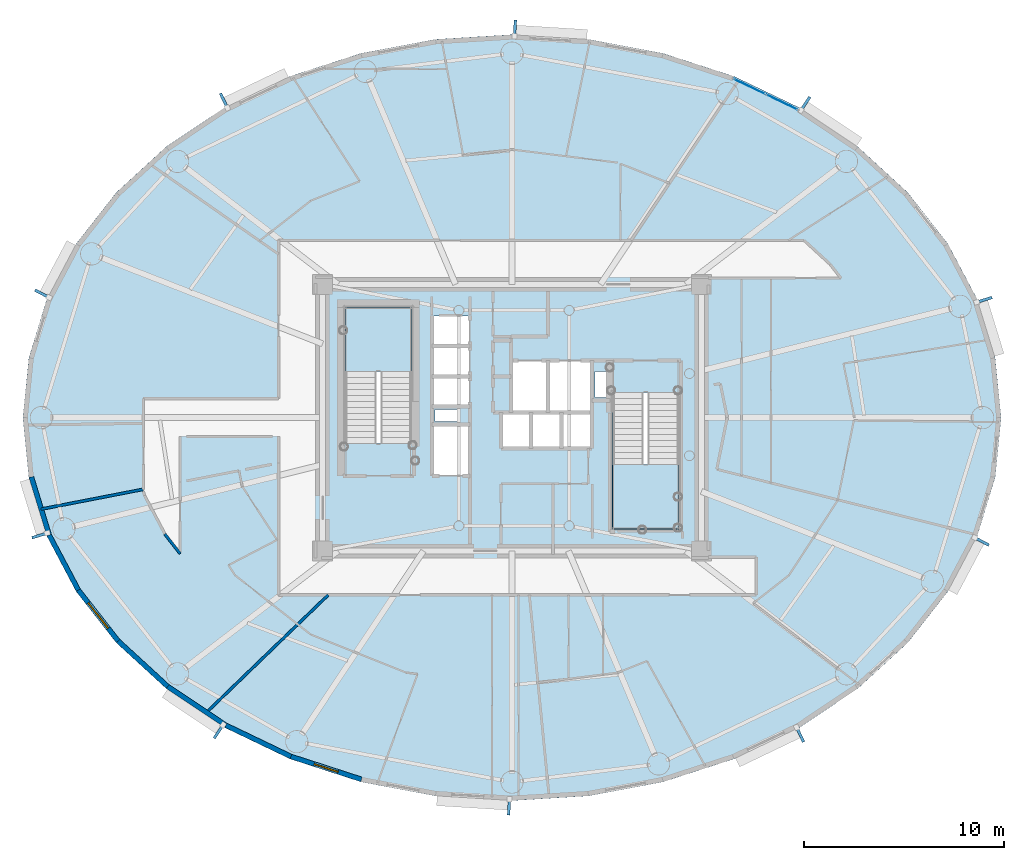
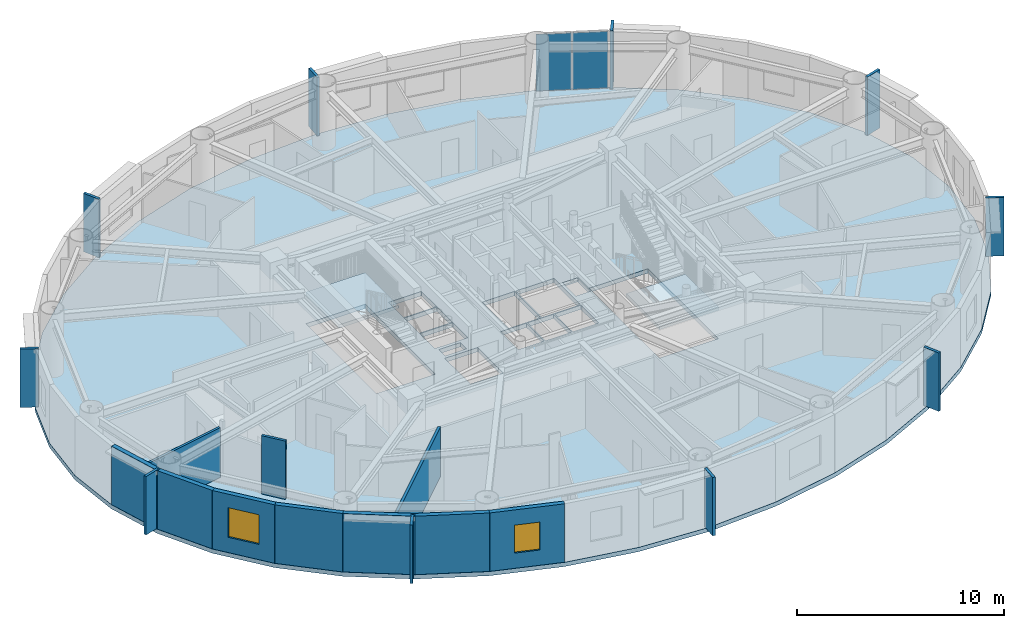
# One storey, part 6 of 18: 12 plates, 10 walls, 3 slabs, 2 windows, 2 openings, 3 elements without a shape of their own.
"""IFC4 building model written with IfcOpenShell, lengths in metres."""

from ifc_helpers import new_model, si_unit, direction, frame, frame_2d, origin, origin_2d, place, context, subcontext, project, spatial, polyline, rectangle, outline, extrude, source, transform, mapped, material, layer, layer_set, type_object, element, fill, aggregate, save


model = new_model("IFC4")

# Units and contexts
model_context = context("Model", 3, precision=1e-05, world=origin(), true_north=direction((0.0, 1.0)))
body_context = subcontext(model_context, "Body", "Model", "MODEL_VIEW")
ifc_project = project(units=[si_unit("LENGTHUNIT", "METRE"), si_unit("AREAUNIT", "SQUARE_METRE"), si_unit("VOLUMEUNIT", "CUBIC_METRE"), si_unit("PLANEANGLEUNIT", "RADIAN"), si_unit("MASSUNIT", "GRAM", prefix="KILO")], contexts=[model_context])

# Site, building, storey
site_placement = place(None, origin())
site = spatial("IfcSite", under=ifc_project, at=site_placement, CompositionType="ELEMENT")
building_placement = place(site_placement, origin())
building = spatial("IfcBuilding", under=site, at=building_placement, Name="Linh Dai School and Residence Tower", CompositionType="ELEMENT")
storey_placement = place(building_placement, frame((0.0, 0.0, 259.050048828125)))
storey = spatial("IfcBuildingStorey", under=building, at=storey_placement, Name="L64", CompositionType="ELEMENT", Elevation=259.050048828125)

# Slab
ifc_material_1 = material(Name="Concrete B45 (C35/45)", Category="concrete")
ifc_layer_1 = layer(ifc_material_1, 0.25)
ifc_layer_set_1 = layer_set([ifc_layer_1], Name="Concrete B45 (C35/45)")
slab_type_1 = type_object("IfcSlabType", Name="SLB-FLR250", PredefinedType="FLOOR", material=ifc_layer_set_1)
slab_1_placement = place(storey_placement, frame((0.0, 0.0, -0.25)))
element("IfcSlab", 1, at=slab_1_placement, inside=storey, type_object=slab_type_1, Name="L64 Composite Structural Floor Slab", PredefinedType="FLOOR", context=body_context, shape_type="SweptSolid", body=[
    extrude(outline(polyline([(60.39990234375, 27.0), (60.099609375, 29.98876953125), (59.205810546875, 32.90380859375), (57.740478515625, 35.673583984375), (55.739990234375, 38.229736328125), (53.25341796875, 40.50927734375), (50.342041015625, 42.456298828125), (47.077392578125, 44.022705078125), (43.5400390625, 45.169921875), (39.81689453125, 45.869873046875), (36.0, 46.10498046875), (32.18310546875, 45.869873046875), (28.4599609375, 45.169921875), (24.922607421875, 44.022705078125), (21.657958984375, 42.456298828125), (18.74658203125, 40.50927734375), (16.260009765625, 38.229736328125), (14.259521484375, 35.673583984375), (12.794189453125, 32.90380859375), (11.900390625, 29.98876953125), (11.60009765625, 27.0), (11.900390625, 24.01123046875), (12.794189453125, 21.09619140625), (14.259521484375, 18.326416015625), (16.260009765625, 15.770263671875), (18.74658203125, 13.49072265625), (21.657958984375, 11.543701171875), (24.922607421875, 9.977294921875), (28.4599609375, 8.830078125), (32.18310546875, 8.130126953125), (36.0, 7.89501953125), (39.81689453125, 8.130126953125), (43.5400390625, 8.830078125), (47.077392578125, 9.977294921875), (50.342041015625, 11.543701171875), (53.25341796875, 13.49072265625), (55.739990234375, 15.770263671875), (57.740478515625, 18.326416015625), (59.205810546875, 21.09619140625), (60.099609375, 24.01123046875), (60.39990234375, 27.0)]), holes=[polyline([(30.97998046875, 25.699951171875), (30.97998046875, 32.5), (27.679931640625, 32.5), (27.679931640625, 25.699951171875), (30.97998046875, 25.699951171875)]), polyline([(41.02001953125, 28.25), (41.02001953125, 21.449951171875), (44.320068359375, 21.449951171875), (44.320068359375, 28.25), (41.02001953125, 28.25)]), polyline([(35.97998046875, 27.280029296875), (37.77001953125, 27.280029296875), (37.77001953125, 29.820068359375), (35.97998046875, 29.820068359375), (35.97998046875, 27.280029296875)]), polyline([(32.030029296875, 24.1298828125), (33.8701171875, 24.1298828125), (33.8701171875, 26.6201171875), (32.030029296875, 26.6201171875), (32.030029296875, 24.1298828125)]), polyline([(37.830078125, 27.280029296875), (39.969970703125, 27.280029296875), (39.969970703125, 29.820068359375), (37.830078125, 29.820068359375), (37.830078125, 27.280029296875)]), polyline([(32.030029296875, 27.580078125), (33.8701171875, 27.580078125), (33.8701171875, 29.030029296875), (32.030029296875, 29.030029296875), (32.030029296875, 27.580078125)]), polyline([(32.030029296875, 29.090087890625), (33.8701171875, 29.090087890625), (33.8701171875, 30.550048828125), (32.030029296875, 30.550048828125), (32.030029296875, 29.090087890625)]), polyline([(32.030029296875, 30.610107421875), (33.8701171875, 30.610107421875), (33.8701171875, 32.070068359375), (32.030029296875, 32.070068359375), (32.030029296875, 30.610107421875)]), polyline([(35.47998046875, 25.47998046875), (36.929931640625, 25.47998046875), (36.929931640625, 27.219970703125), (35.47998046875, 27.219970703125), (35.47998046875, 25.47998046875)]), polyline([(36.989990234375, 25.47998046875), (38.449951171875, 25.47998046875), (38.449951171875, 27.219970703125), (36.989990234375, 27.219970703125), (36.989990234375, 25.47998046875)]), polyline([(38.510009765625, 25.47998046875), (39.969970703125, 25.47998046875), (39.969970703125, 27.219970703125), (38.510009765625, 27.219970703125), (38.510009765625, 25.47998046875)]), polyline([(40.14990234375, 28.0), (40.14990234375, 29.300048828125), (41.0, 29.300048828125), (41.0, 28.280029296875), (40.989990234375, 28.280029296875), (40.989990234375, 28.0), (40.14990234375, 28.0)]), polyline([(32.14990234375, 26.800048828125), (33.35009765625, 26.800048828125), (33.35009765625, 27.39990234375), (32.14990234375, 27.39990234375), (32.14990234375, 26.800048828125)])]), origin(), (0.0, 0.0, 1.0), 0.25),
])

# Stair, slab
stair_type = type_object("IfcStairType", Name="ST-DOG-1550-R1442", PredefinedType="HALF_TURN_STAIR", material=ifc_material_1)
stair_1_placement = place(storey_placement, origin())
stair_1 = element("IfcStair", 2, at=stair_1_placement, inside=storey, type_object=stair_type, Name="L64 Core Smokeproof Exit Stair ST1", PredefinedType="HALF_TURN_STAIR")
ifc_layer_2 = layer(ifc_material_1, 0.199951171875)
ifc_layer_set_2 = layer_set([ifc_layer_2], Name="Concrete B45 (C35/45)")
slab_type_2 = type_object("IfcSlabType", Name="SLB-ST-LANDING-200", PredefinedType="LANDING", material=ifc_layer_set_2)
slab_2_placement = place(storey_placement, frame((0.0, 0.0, 1.675048828125)))
slab_2 = element("IfcSlab", 3, at=slab_2_placement, type_object=slab_type_2, Name="ST1 landing 1", PredefinedType="LANDING", context=body_context, shape_type="SweptSolid", body=[
    extrude(outline(polyline([(30.97998046875, 29.300048828125), (30.97998046875, 32.5), (27.679931640625, 32.5), (27.679931640625, 29.300048828125), (30.97998046875, 29.300048828125)])), origin(), (0.0, 0.0, 1.0), 0.199951171875),
])
aggregate(stair_1, [slab_2])

stair_2_placement = place(storey_placement, origin())
stair_2 = element("IfcStair", 4, at=stair_2_placement, inside=storey, type_object=stair_type, Name="L64 Core Smokeproof Exit Stair ST2", PredefinedType="HALF_TURN_STAIR")
slab_3_placement = place(storey_placement, frame((0.0, 0.0, 1.675048828125)))
slab_3 = element("IfcSlab", 5, at=slab_3_placement, type_object=slab_type_2, Name="ST2 landing 1", PredefinedType="LANDING", context=body_context, shape_type="SweptSolid", body=[
    extrude(outline(polyline([(41.02001953125, 24.64990234375), (41.02001953125, 21.449951171875), (44.320068359375, 21.449951171875), (44.320068359375, 24.64990234375), (41.02001953125, 24.64990234375)])), origin(), (0.0, 0.0, 1.0), 0.199951171875),
])
aggregate(stair_2, [slab_3])

# Plates
ifc_material_2 = material(Name="Precast Concrete B45 (C35/45)", Category="concrete")
ifc_layer_3 = layer(ifc_material_2, 0.139892578125)
ifc_layer_set_3 = layer_set([ifc_layer_3], Name="Precast Concrete B45 (C35/45)")
plate_type_1 = type_object("IfcPlateType", Name="FIN-TC-900x140", PredefinedType="USERDEFINED", material=ifc_layer_set_3)
shared_shape_1 = source(origin(), body_context, "Body", "SweptSolid", [
    extrude(rectangle(XDim=0.89990234375, YDim=0.139892578125, at=origin_2d()), origin(), (0.0, 0.0, 1.0), 3.449951171875),
])
for number, where, z_axis, x_axis, name in (
    (6, (59.517578125, 32.861328125, 0.0), (0.0, 0.0, 1.0), (0.956064190994, 0.2931574026, 0.0), "L64 Precast Terracotta Radial Fin 02"),
    (7, (50.60791015625, 42.621826171875, 0.0), (0.0, 0.0, 1.0), (0.555887222025, 0.831257719597, 0.0), "L64 Precast Terracotta Radial Fin 06"),
    (8, (36.14501953125, 46.3818359375, 0.0), (0.0, 0.0, 1.0), (0.061504437922, 0.998106809974, 0.0), "L64 Precast Terracotta Radial Fin 10"),
    (9, (21.650634765625, 42.769287109375, 0.0), (0.0, 0.0, 1.0), (-0.432593941973, 0.901588864931, 0.0), "L64 Precast Terracotta Radial Fin 14"),
    (10, (12.603271484375, 33.153564453125, 0.0), (0.0, 0.0, 1.0), (-0.883928950783, 0.467621224891, 0.0), "L64 Precast Terracotta Radial Fin 18"),
    (11, (12.482421875, 21.138671875, 0.0), (0.0, 0.0, 1.0), (-0.956064190994, -0.2931574026, 0.0), "L64 Precast Terracotta Radial Fin 22"),
    (12, (21.39208984375, 11.378173828125, 0.0), (0.0, 0.0, 1.0), (-0.555887222025, -0.831257719597, 0.0), "L64 Precast Terracotta Radial Fin 26"),
    (13, (35.85498046875, 7.6181640625, 0.0), (0.0, 0.0, 1.0), (-0.061504437922, -0.998106809974, 0.0), "L64 Precast Terracotta Radial Fin 30"),
    (14, (50.349365234375, 11.230712890625, 0.0), (0.0, 0.0, 1.0), (0.432593941973, -0.901588864931, 0.0), "L64 Precast Terracotta Radial Fin 34"),
    (15, (59.396728515625, 20.846435546875, 0.0), (0.0, 0.0, 1.0), (0.883928950783, -0.467621224891, 0.0), "L64 Precast Terracotta Radial Fin 38"),
):
    element("IfcPlate", number, at=place(storey_placement, frame(where, z_axis=z_axis, x_axis=x_axis)), inside=storey, type_object=plate_type_1, Name=name, ObjectType="RADIAL FIN", PredefinedType="USERDEFINED", context=body_context, shape_type="MappedRepresentation", body=[
        mapped(shared_shape_1, transform((0.0, 0.0, 0.0), x_axis=(1.0, 0.0, 0.0), y_axis=(0.0, 1.0, 0.0), z_axis=(0.0, 0.0, 1.0), scale=1.0)),
    ])

# Curtain wall, plates
ifc_material_3 = material(Name="Aluminium Anodised Curtain Wall", Category="aluminium")
ifc_layer_4 = layer(ifc_material_3, 0.14990234375)
ifc_layer_set_4 = layer_set([ifc_layer_4], Name="Aluminium Anodised Curtain Wall")
curtain_wall_type = type_object("IfcCurtainWallType", Name="CW-SYS-4", PredefinedType="USERDEFINED", material=ifc_layer_set_4)
curtain_wall_placement = place(storey_placement, origin())
curtain_wall = element("IfcCurtainWall", 16, at=curtain_wall_placement, inside=storey, type_object=curtain_wall_type, Name="L64 CW4 Curtain Wall 07", ObjectType="RIBBON CURTAIN WALL", PredefinedType="USERDEFINED")
ifc_material_4 = material(Name="Double Low-E Insulated Glazing", Category="glass")
ifc_layer_5 = layer(ifc_material_4, 0.02587890625)
ifc_layer_set_5 = layer_set([ifc_layer_5], Name="Double Low-E Insulated Glazing")
plate_type_2 = type_object("IfcPlateType", Name="CW-SYS-4-PAN", PredefinedType="CURTAIN_PANEL", material=ifc_layer_set_5)
shared_shape_2 = source(origin(), body_context, "Body", "SweptSolid", [
    extrude(rectangle(XDim=1.723876953125, YDim=0.02587890625, at=origin_2d()), origin(), (0.0, 0.0, 1.0), 3.345947265625),
])
plate_1_placement = place(storey_placement, frame((47.85498046875, 43.51123046875, 0.0517578125), z_axis=(0.0, 0.0, 1.0), x_axis=(0.901588864931, -0.432593941973, 0.0)))
plate_1 = element("IfcPlate", 17, at=plate_1_placement, type_object=plate_type_2, Name="CW4 panel 1.1", PredefinedType="CURTAIN_PANEL", context=body_context, shape_type="MappedRepresentation", body=[
    mapped(shared_shape_2, transform((0.0, 0.0, 0.0), x_axis=(1.0, 0.0, 0.0), y_axis=(0.0, 1.0, 0.0), z_axis=(0.0, 0.0, 1.0), scale=1.0)),
])
plate_2_placement = place(storey_placement, frame((49.4560546875, 42.742919921875, 0.0517578125), z_axis=(0.0, 0.0, 1.0), x_axis=(0.901588864931, -0.432593941973, 0.0)))
plate_2 = element("IfcPlate", 18, at=plate_2_placement, type_object=plate_type_2, Name="CW4 panel 2.1", PredefinedType="CURTAIN_PANEL", context=body_context, shape_type="MappedRepresentation", body=[
    mapped(shared_shape_2, transform((0.0, 0.0, 0.0), x_axis=(1.0, 0.0, 0.0), y_axis=(0.0, 1.0, 0.0), z_axis=(0.0, 0.0, 1.0), scale=1.0)),
])
aggregate(curtain_wall, [plate_1, plate_2])

# Walls
ifc_layer_6 = layer(ifc_material_2, 0.239990234375)
ifc_layer_set_6 = layer_set([ifc_layer_6], Name="Precast Concrete B45 (C35/45)")
wall_type_1 = type_object("IfcWallType", Name="EW-TC-240", PredefinedType="SOLIDWALL", material=ifc_layer_set_6)
wall_1_placement = place(storey_placement, frame((12.90966796875, 21.14404296875, 0.0), z_axis=(0.0, 0.0, 1.0), x_axis=(-0.293132907334, 0.95607170162, 0.0)))
element("IfcWall", 19, at=wall_1_placement, inside=storey, type_object=wall_type_1, Name="L64 Terracotta Exterior Wall 22", PredefinedType="SOLIDWALL", context=body_context, shape_type="SweptSolid", body=[
    extrude(rectangle(XDim=3.02490234375, YDim=0.239990234375, at=frame_2d((1.512451171875, 0.0))), origin(), (0.0, 0.0, 1.0), 3.449951171875),
])
wall_2_placement = place(storey_placement, frame((14.3642578125, 18.394775390625, 0.0), z_axis=(0.0, 0.0, 1.0), x_axis=(-0.46766049993, 0.883908172157, 0.0)))
element("IfcWall", 20, at=wall_2_placement, inside=storey, type_object=wall_type_1, Name="L64 Terracotta Exterior Wall 23", PredefinedType="SOLIDWALL", context=body_context, shape_type="SweptSolid", body=[
    extrude(rectangle(XDim=3.1103515625, YDim=0.239990234375, at=frame_2d((1.55517578125, 0.0))), origin(), (0.0, 0.0, 1.0), 3.449951171875),
])

# Wall, opening, window
wall_3_placement = place(storey_placement, frame((16.3515625, 15.85546875, 0.0), z_axis=(0.0, 0.0, 1.0), x_axis=(-0.616312344705, 0.787501805562, 0.0)))
wall_3 = element("IfcWall", 21, at=wall_3_placement, inside=storey, type_object=wall_type_1, Name="L64 Terracotta Exterior Wall 24", PredefinedType="SOLIDWALL", context=body_context, shape_type="SweptSolid", body=[
    extrude(rectangle(XDim=3.224609375, YDim=0.239990234375, at=frame_2d((1.6123046875, 0.0))), origin(), (0.0, 0.0, 1.0), 3.449951171875),
])
opening_1_placement = place(wall_3_placement, frame((0.81201171875, 0.0, 0.89990234375)))
opening_1 = element("IfcOpeningElement", 22, at=opening_1_placement, cuts=wall_3, Name="Opening W2", PredefinedType="OPENING", context=body_context, shape_type="SweptSolid", body=[
    extrude(rectangle(XDim=1.60009765625, YDim=1.75, at=origin_2d()), frame((0.800048828125, 0.1298828125, 0.875), z_axis=(0.0, -1.0, 0.0), x_axis=(1.0, 0.0, 0.0)), (0.0, 0.0, 1.0), 0.260009765625),
])
window_type_1 = type_object("IfcWindowType", Name="WN-RES-1600x1750", PartitioningType="DOUBLE_PANEL_VERTICAL", PredefinedType="WINDOW", material=ifc_material_4)
shared_shape_3 = source(origin(), body_context, "Body", "SweptSolid", [
    extrude(rectangle(XDim=1.60009765625, YDim=1.75, at=origin_2d()), frame((0.800048828125, 0.030029296875, 0.875), z_axis=(0.0, -1.0, 0.0), x_axis=(1.0, 0.0, 0.0)), (0.0, 0.0, 1.0), 0.06005859375),
])
window_1_placement = place(opening_1_placement, origin())
window_1 = element("IfcWindow", 23, at=window_1_placement, inside=storey, type_object=window_type_1, Name="L64 Exterior Window 24.1", OverallHeight=1.75, OverallWidth=1.60009765625, PartitioningType="DOUBLE_PANEL_VERTICAL", PredefinedType="WINDOW", context=body_context, shape_type="MappedRepresentation", body=[
    mapped(shared_shape_3, transform((0.0, 0.0, 0.0), x_axis=(1.0, 0.0, 0.0), y_axis=(0.0, 1.0, 0.0), z_axis=(0.0, 0.0, 1.0), scale=1.0)),
])
fill(opening_1, window_1)

# Walls
wall_4_placement = place(storey_placement, frame((18.82373046875, 13.589111328125, 0.0), z_axis=(0.0, 0.0, 1.0), x_axis=(-0.737123922599, 0.675757591694, 0.0)))
element("IfcWall", 24, at=wall_4_placement, inside=storey, type_object=wall_type_1, Name="L64 Terracotta Exterior Wall 25", PredefinedType="SOLIDWALL", context=body_context, shape_type="SweptSolid", body=[
    extrude(rectangle(XDim=3.353759765625, YDim=0.239990234375, at=frame_2d((1.6767578125, 0.0))), origin(), (0.0, 0.0, 1.0), 3.449951171875),
])
wall_5_placement = place(storey_placement, frame((21.719970703125, 11.65234375, 0.0), z_axis=(0.0, 0.0, 1.0), x_axis=(-0.831262496074, 0.555880079352, 0.0)))
element("IfcWall", 25, at=wall_5_placement, inside=storey, type_object=wall_type_1, Name="L64 Terracotta Exterior Wall 26", PredefinedType="SOLIDWALL", context=body_context, shape_type="SweptSolid", body=[
    extrude(rectangle(XDim=3.484130859375, YDim=0.239990234375, at=frame_2d((1.7421875, 0.0))), origin(), (0.0, 0.0, 1.0), 3.449951171875),
])
wall_6_placement = place(storey_placement, frame((24.968994140625, 10.093505859375, 0.0), z_axis=(0.0, 0.0, 1.0), x_axis=(-0.901598104751, 0.432574684313, 0.0)))
element("IfcWall", 26, at=wall_6_placement, inside=storey, type_object=wall_type_1, Name="L64 Terracotta Exterior Wall 27", PredefinedType="SOLIDWALL", context=body_context, shape_type="SweptSolid", body=[
    extrude(rectangle(XDim=3.603515625, YDim=0.239990234375, at=frame_2d((1.8017578125, 0.0))), origin(), (0.0, 0.0, 1.0), 3.449951171875),
])

# Wall, opening, window
wall_7_placement = place(storey_placement, frame((28.49072265625, 8.951171875, 0.0), z_axis=(0.0, 0.0, 1.0), x_axis=(-0.951210789182, 0.308541787354, 0.0)))
wall_7 = element("IfcWall", 27, at=wall_7_placement, inside=storey, type_object=wall_type_1, Name="L64 Terracotta Exterior Wall 28", PredefinedType="SOLIDWALL", context=body_context, shape_type="SweptSolid", body=[
    extrude(rectangle(XDim=3.702392578125, YDim=0.239990234375, at=frame_2d((1.85107421875, 0.0))), origin(), (0.0, 0.0, 1.0), 3.449951171875),
])
opening_2_placement = place(wall_7_placement, frame((1.226318359375, 0.0, 0.89990234375)))
opening_2 = element("IfcOpeningElement", 28, at=opening_2_placement, cuts=wall_7, Name="Opening W3", PredefinedType="OPENING", context=body_context, shape_type="SweptSolid", body=[
    extrude(rectangle(XDim=1.25, YDim=1.64990234375, at=origin_2d()), frame((0.625, 0.1298828125, 0.824951171875), z_axis=(0.0, -1.0, 0.0), x_axis=(1.0, 0.0, 0.0)), (0.0, 0.0, 1.0), 0.260009765625),
])
window_type_2 = type_object("IfcWindowType", Name="WN-RES-1250x1650", PartitioningType="SINGLE_PANEL", PredefinedType="WINDOW", material=ifc_material_4)
shared_shape_4 = source(origin(), body_context, "Body", "SweptSolid", [
    extrude(rectangle(XDim=1.25, YDim=1.64990234375, at=origin_2d()), frame((0.625, 0.030029296875, 0.824951171875), z_axis=(0.0, -1.0, 0.0), x_axis=(1.0, 0.0, 0.0)), (0.0, 0.0, 1.0), 0.06005859375),
])
window_2_placement = place(opening_2_placement, origin())
window_2 = element("IfcWindow", 29, at=window_2_placement, inside=storey, type_object=window_type_2, Name="L64 Dwelling Window U6402-BD1", OverallHeight=1.64990234375, OverallWidth=1.25, PartitioningType="SINGLE_PANEL", PredefinedType="WINDOW", context=body_context, shape_type="MappedRepresentation", body=[
    mapped(shared_shape_4, transform((0.0, 0.0, 0.0), x_axis=(1.0, 0.0, 0.0), y_axis=(0.0, 1.0, 0.0), z_axis=(0.0, 0.0, 1.0), scale=1.0)),
])
fill(opening_2, window_2)

# Walls
ifc_material_5 = material(Name="Autoclaved Aerated Concrete Blockwork", Category="masonry")
ifc_layer_7 = layer(ifc_material_5, 0.135009765625)
ifc_layer_set_7 = layer_set([ifc_layer_7], Name="Autoclaved Aerated Concrete Blockwork")
wall_type_2 = type_object("IfcWallType", Name="IW-CORR-135-EI90", PredefinedType="PARTITIONING", material=ifc_layer_set_7)
wall_8_placement = place(storey_placement, frame((12.509033203125, 22.433837890625, 0.0), z_axis=(0.0, 0.0, 1.0), x_axis=(0.981630821079, 0.190790280431, 0.0)))
element("IfcWall", 30, at=wall_8_placement, inside=storey, type_object=wall_type_2, Name="L64 Interior Partition Wall 002", PredefinedType="PARTITIONING", context=body_context, shape_type="SweptSolid", body=[
    extrude(rectangle(XDim=5.186279296875, YDim=0.135009765625, at=frame_2d((2.59326171875, 0.0))), origin(), (0.0, 0.0, 1.0), 2.93505859375),
])
wall_9_placement = place(storey_placement, frame((18.6806640625, 21.1943359375, 0.0), z_axis=(0.0, 0.0, 1.0), x_axis=(0.616239706802, -0.787558647823, 0.0)))
element("IfcWall", 31, at=wall_9_placement, inside=storey, type_object=wall_type_2, Name="L64 Interior Partition Wall 008", PredefinedType="PARTITIONING", context=body_context, shape_type="SweptSolid", body=[
    extrude(rectangle(XDim=1.248291015625, YDim=0.135009765625, at=frame_2d((0.6240234375, 0.0))), origin(), (0.0, 0.0, 1.0), 3.449951171875),
])
wall_10_placement = place(storey_placement, frame((20.756103515625, 12.290771484375, 0.0), z_axis=(0.0, 0.0, 1.0), x_axis=(0.719623273788, 0.694364705196, 0.0)))
element("IfcWall", 32, at=wall_10_placement, inside=storey, type_object=wall_type_2, Name="L64 Interior Partition Wall 010", PredefinedType="PARTITIONING", context=body_context, shape_type="SweptSolid", body=[
    extrude(rectangle(XDim=8.438232421875, YDim=0.135009765625, at=frame_2d((4.21923828125, 0.0))), origin(), (0.0, 0.0, 1.0), 2.93505859375),
])

save(model, "model.ifc")
